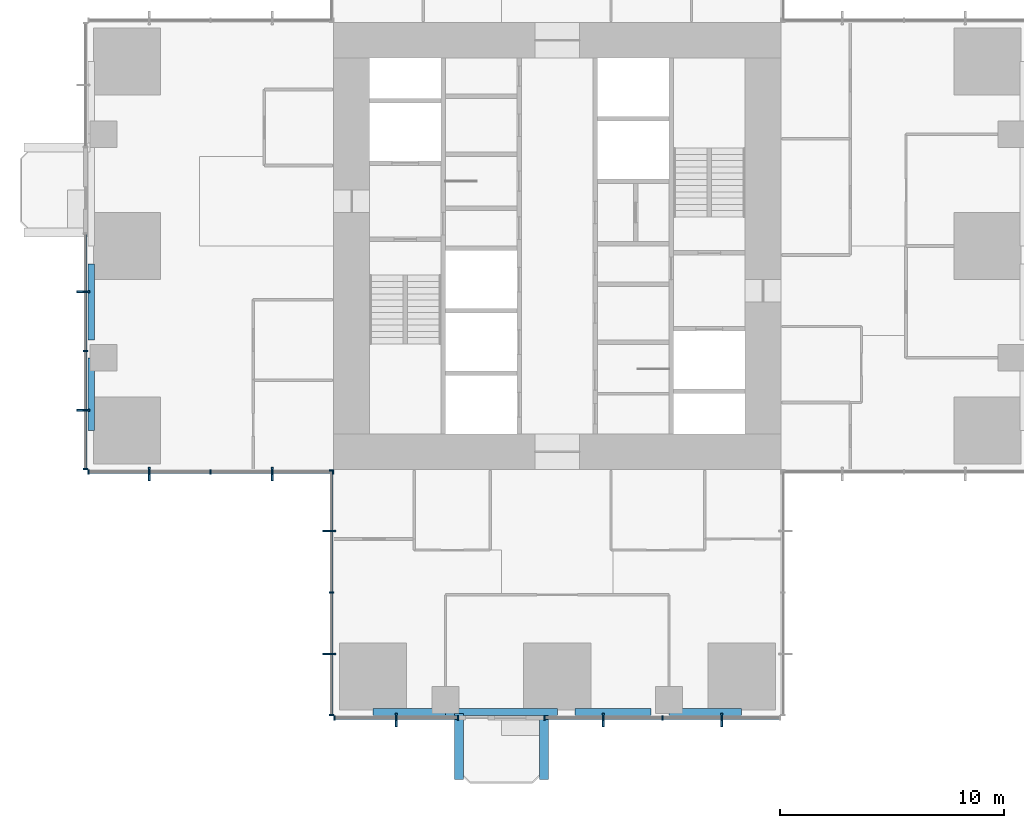
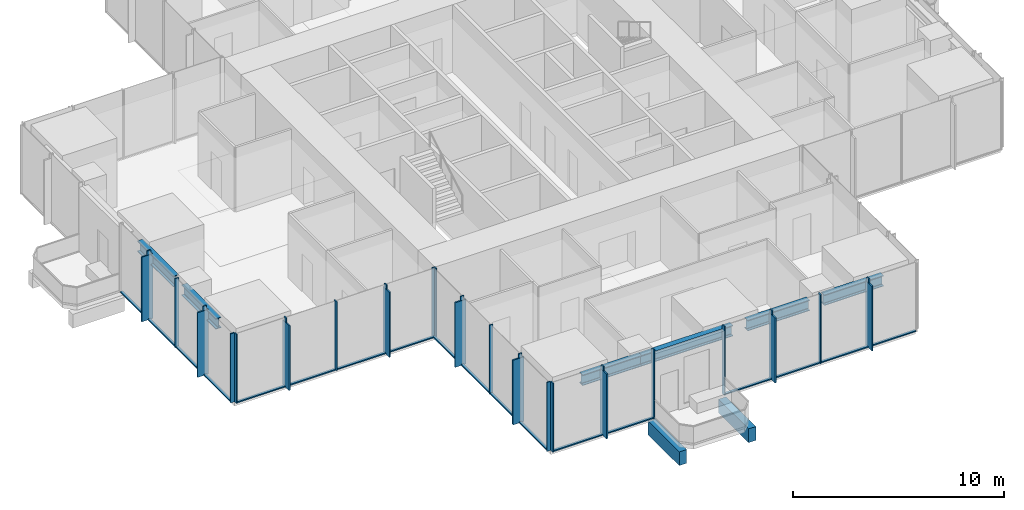
# One storey, part 2 of 13: 48 members, 8 beams, 5 elements without a shape of their own.
"""IFC4 building model written with IfcOpenShell, lengths in metres."""

import ifcopenshell
import ifcopenshell.guid

model = None  # the IFC model being written
_history = None  # IfcOwnerHistory: only IFC2X3 demands one
_inside = {}  # id of a spatial element -> (the spatial element, [elements in it])
_under = {}  # id of a project, library or spatial element -> (it, [spatial elements below it])
_declared = {}  # id of a project -> (the project, [libraries it declares])
_typed = {}  # id of a type object -> (the type object, [elements of that type])
_made_of = {}  # id of a material, layer set ... -> (it, [elements and type objects made of it])


def new_model(schema):
    """Start an empty IFC model of exactly this schema.

    Asked for "IFC4X3", IfcOpenShell would pick the latest addendum, in which some entities
    have other attributes; the version numbers below select the first issue.
    IFC2X3 requires an IfcOwnerHistory on every rooted entity: one is made here for all.
    """
    global model, _history
    if schema == "IFC4X3":
        model = ifcopenshell.file(schema_version=(4, 3, 0, 0))
    else:
        model = ifcopenshell.file(schema=schema)
    _inside.clear()
    _under.clear()
    _declared.clear()
    _typed.clear()
    _made_of.clear()
    _history = None
    if model.schema == "IFC2X3":
        org = make("IfcOrganization", Name="unknown")
        user = make(
            "IfcPersonAndOrganization",
            ThePerson=make("IfcPerson", FamilyName="unknown"),
            TheOrganization=org,
        )
        app = make(
            "IfcApplication",
            ApplicationDeveloper=org,
            Version="unknown",
            ApplicationFullName="unknown",
            ApplicationIdentifier="unknown",
        )
        _history = make(
            "IfcOwnerHistory",
            OwningUser=user,
            OwningApplication=app,
            ChangeAction="ADDED",
            CreationDate=0,
        )
    return model


def make(cls, **values):
    """One entity of the class cls with the attributes given. An attribute that is None is left unset."""
    return model.create_entity(
        cls, **{name: value for name, value in values.items() if value is not None}
    )


def rooted(cls, **values):
    """An entity with a GlobalId (a new one), such as an element, a storey or a relation."""
    return make(cls, GlobalId=ifcopenshell.guid.new(), OwnerHistory=_history, **values)


def si_unit(unit_type, name, prefix=None):
    """IfcSIUnit, for example si_unit("LENGTHUNIT", "METRE", prefix="MILLI")."""
    return make("IfcSIUnit", UnitType=unit_type, Prefix=prefix, Name=name)


def assignment(units):
    """IfcUnitAssignment: the units of a project."""
    return None if units is None else make("IfcUnitAssignment", Units=units)


def point(xyz):
    """IfcCartesianPoint."""
    return None if xyz is None else make("IfcCartesianPoint", Coordinates=xyz)


def direction(xyz):
    """IfcDirection."""
    return None if xyz is None else make("IfcDirection", DirectionRatios=xyz)


def frame(location, z_axis=None, x_axis=None):
    """IfcAxis2Placement3D, a coordinate frame: its origin and axes. An axis left out is left unset."""
    return make(
        "IfcAxis2Placement3D",
        Location=point(location),
        Axis=direction(z_axis),
        RefDirection=direction(x_axis),
    )


def frame_2d(location, x_axis=None):
    """IfcAxis2Placement2D, a coordinate frame in the plane: its origin and x axis."""
    return make(
        "IfcAxis2Placement2D", Location=point(location), RefDirection=direction(x_axis)
    )


def origin():
    """The frame at (0, 0, 0) with its axes left unset."""
    return frame((0.0, 0.0, 0.0))


def origin_2d():
    """The frame at (0, 0) in the plane with its x axis left unset."""
    return frame_2d((0.0, 0.0))


def place(relative_to, where):
    """IfcLocalPlacement: puts the frame where relative to a parent placement (None: the world)."""
    return make(
        "IfcLocalPlacement", PlacementRelTo=relative_to, RelativePlacement=where
    )


def context(
    kind, dimensions, precision=None, world=None, true_north=None, identifier=None
):
    """IfcGeometricRepresentationContext, for example the 3D "Model" context."""
    return make(
        "IfcGeometricRepresentationContext",
        ContextIdentifier=identifier,
        ContextType=kind,
        CoordinateSpaceDimension=dimensions,
        Precision=precision,
        WorldCoordinateSystem=world,
        TrueNorth=true_north,
    )


def subcontext(parent, identifier, kind, view, scale=None):
    """IfcGeometricRepresentationSubContext, for example "Body" below "Model"."""
    return make(
        "IfcGeometricRepresentationSubContext",
        ContextIdentifier=identifier,
        ContextType=kind,
        ParentContext=parent,
        TargetScale=scale,
        TargetView=view,
    )


def project(units=None, contexts=None):
    """IfcProject with its units and contexts."""
    return rooted(
        "IfcProject",
        Name="project",
        RepresentationContexts=contexts,
        UnitsInContext=assignment(units),
    )


def spatial(cls, under=None, at=None, **own):
    """A site, building, storey or space (cls), placed at a placement, below another one or the project."""
    s = rooted(cls, ObjectPlacement=at, **own)
    if under is not None:
        _under.setdefault(under.id(), (under, []))[1].append(s)
    return s


def profile(cls, at=None, kind="AREA", **sizes):
    """A parametric profile (cls). Its sizes go by their IFC names, for example OverallWidth=200.0."""
    return make(cls, ProfileType=kind, Position=at, **sizes)


def rectangle(**sizes):
    """IfcRectangleProfileDef."""
    return profile("IfcRectangleProfileDef", **sizes)


def i_section(**sizes):
    """IfcIShapeProfileDef."""
    return profile("IfcIShapeProfileDef", **sizes)


def extrude(swept, where, along, depth):
    """IfcExtrudedAreaSolid: the profile swept, set in the frame where, extruded along a direction by depth."""
    return make(
        "IfcExtrudedAreaSolid",
        SweptArea=swept,
        Position=where,
        ExtrudedDirection=direction(along),
        Depth=depth,
    )


def shape(context_of_items, identifier, shape_type, items):
    """IfcShapeRepresentation: the items that make up one representation, for example the "Body"."""
    return make(
        "IfcShapeRepresentation",
        ContextOfItems=context_of_items,
        RepresentationIdentifier=identifier,
        RepresentationType=shape_type,
        Items=items,
    )


def material(Name=None, Category=None):
    """IfcMaterial."""
    return make("IfcMaterial", Name=Name, Category=Category)


def material_profile(
    of_material, cross_section, Name=None, Category=None, Priority=None
):
    """IfcMaterialProfile: a cross section and its material."""
    return make(
        "IfcMaterialProfile",
        Name=Name,
        Material=of_material,
        Profile=cross_section,
        Priority=Priority,
        Category=Category,
    )


def profile_set(profiles, Name=None, composite=None):
    """IfcMaterialProfileSet."""
    return make(
        "IfcMaterialProfileSet",
        Name=Name,
        MaterialProfiles=profiles,
        CompositeProfile=composite,
    )


def made_of(thing, what):
    """Note that an element or type object is made of a material, layer set ...; save() writes the relation."""
    if what is not None:
        _made_of.setdefault(what.id(), (what, []))[1].append(thing)
    return thing


def type_object(cls, material=None, **own):
    """A type object (cls), such as IfcWallType, which elements share."""
    return made_of(rooted(cls, **own), material)


def element(
    cls,
    number,
    at=None,
    inside=None,
    cuts=None,
    type_object=None,
    material=None,
    context=None,
    identifier="Body",
    shape_type=None,
    held_by="IfcProductDefinitionShape",
    body=None,
    shapes=None,
    **own,
):
    """One element of the class cls, such as IfcWall. Its Tag is "e" and its number.

    at: its placement. inside: the storey or other place that contains it. cuts: it is an
    opening in that element (IfcRelVoidsElement). A single representation is given by context,
    identifier, shape_type and body (its items); several are given by shapes. held_by: the class
    of the entity that holds the representations. save() writes the other relations.
    """
    e = rooted(cls, Tag="e%d" % number, ObjectPlacement=at, **own)
    if body is not None:
        shapes = [shape(context, identifier, shape_type, body)]
    if shapes is not None:
        e.Representation = make(held_by, Representations=shapes)
    if inside is not None:
        _inside.setdefault(inside.id(), (inside, []))[1].append(e)
    if cuts is not None:
        rooted(
            "IfcRelVoidsElement", RelatingBuildingElement=cuts, RelatedOpeningElement=e
        )
    if type_object is not None:
        _typed.setdefault(type_object.id(), (type_object, []))[1].append(e)
    return made_of(e, material)


def aggregate(whole, parts):
    """IfcRelAggregates: a whole, such as a stair, and the parts it consists of."""
    return rooted("IfcRelAggregates", RelatingObject=whole, RelatedObjects=parts)


def save(model, path):
    """Write the relations noted so far, then the file.

    IfcRelAggregates (storeys below a building ...), IfcRelContainedInSpatialStructure (elements
    in a storey), IfcRelDefinesByType, IfcRelAssociatesMaterial and IfcRelDeclares: one each for
    every whole, place, type object, material and project.
    """
    for whole, parts in _under.values():
        aggregate(whole, parts)
    for where, things in _inside.values():
        rooted(
            "IfcRelContainedInSpatialStructure",
            RelatedElements=things,
            RelatingStructure=where,
        )
    for kind, things in _typed.values():
        rooted("IfcRelDefinesByType", RelatedObjects=things, RelatingType=kind)
    for what, things in _made_of.values():
        rooted("IfcRelAssociatesMaterial", RelatedObjects=things, RelatingMaterial=what)
    for by, libraries in _declared.values():
        rooted("IfcRelDeclares", RelatingContext=by, RelatedDefinitions=libraries)
    model.write(path)


model = new_model("IFC4")

# Units and contexts
model_context = context("Model", 3, precision=1e-05, world=origin(), true_north=direction((0.0, 1.0)))
body_context = subcontext(model_context, "Body", "Model", "MODEL_VIEW")
ifc_project = project(units=[si_unit("LENGTHUNIT", "METRE"), si_unit("AREAUNIT", "SQUARE_METRE"), si_unit("VOLUMEUNIT", "CUBIC_METRE"), si_unit("PLANEANGLEUNIT", "RADIAN"), si_unit("MASSUNIT", "GRAM", prefix="KILO")], contexts=[model_context])

# Site, building, storey
site_placement = place(None, origin())
site = spatial("IfcSite", under=ifc_project, at=site_placement, CompositionType="ELEMENT")
building_placement = place(site_placement, origin())
building = spatial("IfcBuilding", under=site, at=building_placement, Name="Svetlomir Tower", CompositionType="ELEMENT")
storey_placement = place(building_placement, frame((0.0, 0.0, 100.5)))
storey = spatial("IfcBuildingStorey", under=building, at=storey_placement, Name="L23", CompositionType="ELEMENT", Elevation=100.5)

# Beams
ifc_material_1 = material(Name="Concrete C60/75", Category="concrete")
ifc_material_profile_1 = material_profile(ifc_material_1, rectangle(XDim=0.39990234375, YDim=0.800048828125, at=origin_2d()), Name="RC 400x800")
ifc_profile_set_1 = profile_set([ifc_material_profile_1], Name="Concrete C60/75")
beam_type_1 = type_object("IfcBeamType", Name="BALCONY RIB RC 400x800", PredefinedType="BEAM", material=ifc_profile_set_1)
beam_1_placement = place(storey_placement, frame((16.60009765625, 0.10009765625, -0.64990234375), z_axis=(0.0, -1.0, 0.0), x_axis=(1.0, 0.0, 0.0)))
element("IfcBeam", 1, at=beam_1_placement, inside=storey, type_object=beam_type_1, Name="Balcony rib S 1 L23", PredefinedType="BEAM", context=body_context, shape_type="SweptSolid", body=[
    extrude(rectangle(XDim=0.39990234375, YDim=0.800048828125, at=origin_2d()), origin(), (0.0, 0.0, 1.0), 2.9501953125),
])
beam_2_placement = place(storey_placement, frame((20.39990234375, 0.0, -0.64990234375), z_axis=(0.0, -1.0, 0.0), x_axis=(1.0, 0.0, 0.0)))
element("IfcBeam", 2, at=beam_2_placement, inside=storey, type_object=beam_type_1, Name="Balcony rib S 2 L23", PredefinedType="BEAM", context=body_context, shape_type="SweptSolid", body=[
    extrude(rectangle(XDim=0.39990234375, YDim=0.800048828125, at=origin_2d()), origin(), (0.0, 0.0, 1.0), 2.85009765625),
])

# Curtain wall, member
ifc_material_2 = material(Name="Bronze anodised aluminium curtain wall", Category="aluminium")
curtain_wall_type = type_object("IfcCurtainWallType", Name="CURTAIN WALL CW1 TOWER OFFICE", PredefinedType="NOTDEFINED", material=ifc_material_2)
curtain_wall_1_placement = place(storey_placement, origin())
curtain_wall_1 = element("IfcCurtainWall", 3, at=curtain_wall_1_placement, inside=storey, type_object=curtain_wall_type, Name="Curtain wall CW1 L23", PredefinedType="NOTDEFINED")
ifc_material_3 = material(Name="Bronze anodised aluminium", Category="aluminium")
ifc_material_profile_2 = material_profile(ifc_material_3, rectangle(XDim=0.080078125, YDim=0.60009765625, at=origin_2d()), Name="FIN 80x600")
ifc_profile_set_2 = profile_set([ifc_material_profile_2], Name="Bronze anodised aluminium 6063-T6")
member_type_1 = type_object("IfcMemberType", Name="BRONZE FIN 80x600", PredefinedType="USERDEFINED", material=ifc_profile_set_2)
member_1_placement = place(storey_placement, frame((13.800048828125, -0.199951171875, 0.0), z_axis=(0.0, 0.0, 1.0), x_axis=(1.0, 0.0, 0.0)))
member_1 = element("IfcMember", 4, at=member_1_placement, type_object=member_type_1, Name="Bronze fin L23", ObjectType="FIN", PredefinedType="USERDEFINED", context=body_context, shape_type="SweptSolid", body=[
    extrude(rectangle(XDim=0.080078125, YDim=0.60009765625, at=origin_2d()), origin(), (0.0, 0.0, 1.0), 3.75),
])

# Curtain wall, members
curtain_wall_2_placement = place(storey_placement, origin())
curtain_wall_2 = element("IfcCurtainWall", 5, at=curtain_wall_2_placement, inside=storey, type_object=curtain_wall_type, Name="Curtain wall CW1 L23", PredefinedType="NOTDEFINED")
member_2_placement = place(storey_placement, frame((23.050048828125, -0.199951171875, 0.0), z_axis=(0.0, 0.0, 1.0), x_axis=(1.0, 0.0, 0.0)))
member_2 = element("IfcMember", 6, at=member_2_placement, type_object=member_type_1, Name="Bronze fin L23", ObjectType="FIN", PredefinedType="USERDEFINED", context=body_context, shape_type="SweptSolid", body=[
    extrude(rectangle(XDim=0.080078125, YDim=0.60009765625, at=origin_2d()), origin(), (0.0, 0.0, 1.0), 3.75),
])
member_3_placement = place(storey_placement, frame((28.35009765625, -0.199951171875, 0.0), z_axis=(0.0, 0.0, 1.0), x_axis=(1.0, 0.0, 0.0)))
member_3 = element("IfcMember", 7, at=member_3_placement, type_object=member_type_1, Name="Bronze fin L23", ObjectType="FIN", PredefinedType="USERDEFINED", context=body_context, shape_type="SweptSolid", body=[
    extrude(rectangle(XDim=0.080078125, YDim=0.60009765625, at=origin_2d()), origin(), (0.0, 0.0, 1.0), 3.75),
])

curtain_wall_3_placement = place(storey_placement, origin())
curtain_wall_3 = element("IfcCurtainWall", 8, at=curtain_wall_3_placement, inside=storey, type_object=curtain_wall_type, Name="Curtain wall CW1 L23", PredefinedType="NOTDEFINED")
member_4_placement = place(storey_placement, frame((-0.199951171875, 18.949951171875, 0.0), z_axis=(0.0, 0.0, 1.0), x_axis=(0.0, 1.0, 0.0)))
member_4 = element("IfcMember", 9, at=member_4_placement, type_object=member_type_1, Name="Bronze fin L23", ObjectType="FIN", PredefinedType="USERDEFINED", context=body_context, shape_type="SweptSolid", body=[
    extrude(rectangle(XDim=0.080078125, YDim=0.60009765625, at=origin_2d()), origin(), (0.0, 0.0, 1.0), 3.75),
])
member_5_placement = place(storey_placement, frame((-0.199951171875, 13.64990234375, 0.0), z_axis=(0.0, 0.0, 1.0), x_axis=(0.0, 1.0, 0.0)))
member_5 = element("IfcMember", 10, at=member_5_placement, type_object=member_type_1, Name="Bronze fin L23", ObjectType="FIN", PredefinedType="USERDEFINED", context=body_context, shape_type="SweptSolid", body=[
    extrude(rectangle(XDim=0.080078125, YDim=0.60009765625, at=origin_2d()), origin(), (0.0, 0.0, 1.0), 3.75),
])

curtain_wall_4_placement = place(storey_placement, origin())
curtain_wall_4 = element("IfcCurtainWall", 11, at=curtain_wall_4_placement, inside=storey, type_object=curtain_wall_type, Name="Curtain wall CW1 L23", PredefinedType="NOTDEFINED")
member_6_placement = place(storey_placement, frame((2.75, 10.800048828125, 0.0), z_axis=(0.0, 0.0, 1.0), x_axis=(1.0, 0.0, 0.0)))
member_6 = element("IfcMember", 12, at=member_6_placement, type_object=member_type_1, Name="Bronze fin L23", ObjectType="FIN", PredefinedType="USERDEFINED", context=body_context, shape_type="SweptSolid", body=[
    extrude(rectangle(XDim=0.080078125, YDim=0.60009765625, at=origin_2d()), origin(), (0.0, 0.0, 1.0), 3.75),
])
member_7_placement = place(storey_placement, frame((8.25, 10.800048828125, 0.0), z_axis=(0.0, 0.0, 1.0), x_axis=(1.0, 0.0, 0.0)))
member_7 = element("IfcMember", 13, at=member_7_placement, type_object=member_type_1, Name="Bronze fin L23", ObjectType="FIN", PredefinedType="USERDEFINED", context=body_context, shape_type="SweptSolid", body=[
    extrude(rectangle(XDim=0.080078125, YDim=0.60009765625, at=origin_2d()), origin(), (0.0, 0.0, 1.0), 3.75),
])

curtain_wall_5_placement = place(storey_placement, origin())
curtain_wall_5 = element("IfcCurtainWall", 14, at=curtain_wall_5_placement, inside=storey, type_object=curtain_wall_type, Name="Curtain wall CW1 L23", PredefinedType="NOTDEFINED")
member_8_placement = place(storey_placement, frame((10.800048828125, 8.25, 0.0), z_axis=(0.0, 0.0, 1.0), x_axis=(0.0, 1.0, 0.0)))
member_8 = element("IfcMember", 15, at=member_8_placement, type_object=member_type_1, Name="Bronze fin L23", ObjectType="FIN", PredefinedType="USERDEFINED", context=body_context, shape_type="SweptSolid", body=[
    extrude(rectangle(XDim=0.080078125, YDim=0.60009765625, at=origin_2d()), origin(), (0.0, 0.0, 1.0), 3.75),
])
member_9_placement = place(storey_placement, frame((10.800048828125, 2.75, 0.0), z_axis=(0.0, 0.0, 1.0), x_axis=(0.0, 1.0, 0.0)))
member_9 = element("IfcMember", 16, at=member_9_placement, type_object=member_type_1, Name="Bronze fin L23", ObjectType="FIN", PredefinedType="USERDEFINED", context=body_context, shape_type="SweptSolid", body=[
    extrude(rectangle(XDim=0.080078125, YDim=0.60009765625, at=origin_2d()), origin(), (0.0, 0.0, 1.0), 3.75),
])

# Member
ifc_material_4 = material(Name="Bronze anodised aluminium", Category="aluminium")
ifc_material_profile_3 = material_profile(ifc_material_4, rectangle(XDim=0.06494140625, YDim=0.199951171875, at=origin_2d()), Name="AL 65x200")
ifc_profile_set_3 = profile_set([ifc_material_profile_3], Name="Bronze anodised aluminium 6063-T6")
member_type_2 = type_object("IfcMemberType", Name="CW1 MULLION 65x200", PredefinedType="MULLION", material=ifc_profile_set_3)
member_10_placement = place(storey_placement, frame((11.032470703125, -0.10009765625, 0.0), z_axis=(0.0, 0.0, 1.0), x_axis=(1.0, 0.0, 0.0)))
member_10 = element("IfcMember", 17, at=member_10_placement, type_object=member_type_2, Name="CW1 mullion 1", PredefinedType="MULLION", context=body_context, shape_type="SweptSolid", body=[
    extrude(rectangle(XDim=0.06494140625, YDim=0.199951171875, at=origin_2d()), origin(), (0.0, 0.0, 1.0), 4.0),
])

member_11_placement = place(storey_placement, frame((13.800048828125, -0.10009765625, 0.0), z_axis=(0.0, 0.0, 1.0), x_axis=(1.0, 0.0, 0.0)))
member_11 = element("IfcMember", 18, at=member_11_placement, type_object=member_type_2, Name="CW1 mullion 2", PredefinedType="MULLION", context=body_context, shape_type="SweptSolid", body=[
    extrude(rectangle(XDim=0.06494140625, YDim=0.199951171875, at=origin_2d()), origin(), (0.0, 0.0, 1.0), 4.0),
])

member_12_placement = place(storey_placement, frame((16.5673828125, -0.10009765625, 0.0), z_axis=(0.0, 0.0, 1.0), x_axis=(1.0, 0.0, 0.0)))
member_12 = element("IfcMember", 19, at=member_12_placement, type_object=member_type_2, Name="CW1 mullion 3", PredefinedType="MULLION", context=body_context, shape_type="SweptSolid", body=[
    extrude(rectangle(XDim=0.06494140625, YDim=0.199951171875, at=origin_2d()), origin(), (0.0, 0.0, 1.0), 4.0),
])

member_13_placement = place(storey_placement, frame((20.4326171875, -0.10009765625, 0.0), z_axis=(0.0, 0.0, 1.0), x_axis=(1.0, 0.0, 0.0)))
member_13 = element("IfcMember", 20, at=member_13_placement, type_object=member_type_2, Name="CW1 mullion 1", PredefinedType="MULLION", context=body_context, shape_type="SweptSolid", body=[
    extrude(rectangle(XDim=0.06494140625, YDim=0.199951171875, at=origin_2d()), origin(), (0.0, 0.0, 1.0), 4.0),
])

member_14_placement = place(storey_placement, frame((23.050048828125, -0.10009765625, 0.0), z_axis=(0.0, 0.0, 1.0), x_axis=(1.0, 0.0, 0.0)))
member_14 = element("IfcMember", 21, at=member_14_placement, type_object=member_type_2, Name="CW1 mullion 2", PredefinedType="MULLION", context=body_context, shape_type="SweptSolid", body=[
    extrude(rectangle(XDim=0.06494140625, YDim=0.199951171875, at=origin_2d()), origin(), (0.0, 0.0, 1.0), 4.0),
])

member_15_placement = place(storey_placement, frame((25.699951171875, -0.10009765625, 0.0), z_axis=(0.0, 0.0, 1.0), x_axis=(1.0, 0.0, 0.0)))
member_15 = element("IfcMember", 22, at=member_15_placement, type_object=member_type_2, Name="CW1 mullion 3", PredefinedType="MULLION", context=body_context, shape_type="SweptSolid", body=[
    extrude(rectangle(XDim=0.06494140625, YDim=0.199951171875, at=origin_2d()), origin(), (0.0, 0.0, 1.0), 4.0),
])

member_16_placement = place(storey_placement, frame((28.35009765625, -0.10009765625, 0.0), z_axis=(0.0, 0.0, 1.0), x_axis=(1.0, 0.0, 0.0)))
member_16 = element("IfcMember", 23, at=member_16_placement, type_object=member_type_2, Name="CW1 mullion 4", PredefinedType="MULLION", context=body_context, shape_type="SweptSolid", body=[
    extrude(rectangle(XDim=0.06494140625, YDim=0.199951171875, at=origin_2d()), origin(), (0.0, 0.0, 1.0), 4.0),
])

member_17_placement = place(storey_placement, frame((-0.10009765625, 18.949951171875, 0.0), z_axis=(0.0, 0.0, 1.0), x_axis=(0.0, -1.0, 0.0)))
member_17 = element("IfcMember", 24, at=member_17_placement, type_object=member_type_2, Name="CW1 mullion 2", PredefinedType="MULLION", context=body_context, shape_type="SweptSolid", body=[
    extrude(rectangle(XDim=0.06494140625, YDim=0.199951171875, at=origin_2d()), origin(), (0.0, 0.0, 1.0), 4.0),
])

member_18_placement = place(storey_placement, frame((-0.10009765625, 16.300048828125, 0.0), z_axis=(0.0, 0.0, 1.0), x_axis=(0.0, -1.0, 0.0)))
member_18 = element("IfcMember", 25, at=member_18_placement, type_object=member_type_2, Name="CW1 mullion 3", PredefinedType="MULLION", context=body_context, shape_type="SweptSolid", body=[
    extrude(rectangle(XDim=0.06494140625, YDim=0.199951171875, at=origin_2d()), origin(), (0.0, 0.0, 1.0), 4.0),
])

member_19_placement = place(storey_placement, frame((-0.10009765625, 13.64990234375, 0.0), z_axis=(0.0, 0.0, 1.0), x_axis=(0.0, -1.0, 0.0)))
member_19 = element("IfcMember", 26, at=member_19_placement, type_object=member_type_2, Name="CW1 mullion 4", PredefinedType="MULLION", context=body_context, shape_type="SweptSolid", body=[
    extrude(rectangle(XDim=0.06494140625, YDim=0.199951171875, at=origin_2d()), origin(), (0.0, 0.0, 1.0), 4.0),
])

member_20_placement = place(storey_placement, frame((-0.10009765625, 11.032470703125, 0.0), z_axis=(0.0, 0.0, 1.0), x_axis=(0.0, -1.0, 0.0)))
member_20 = element("IfcMember", 27, at=member_20_placement, type_object=member_type_2, Name="CW1 mullion 5", PredefinedType="MULLION", context=body_context, shape_type="SweptSolid", body=[
    extrude(rectangle(XDim=0.06494140625, YDim=0.199951171875, at=origin_2d()), origin(), (0.0, 0.0, 1.0), 4.0),
])

member_21_placement = place(storey_placement, frame((0.032470703125, 10.89990234375, 0.0), z_axis=(0.0, 0.0, 1.0), x_axis=(1.0, 0.0, 0.0)))
member_21 = element("IfcMember", 28, at=member_21_placement, type_object=member_type_2, Name="CW1 mullion 1", PredefinedType="MULLION", context=body_context, shape_type="SweptSolid", body=[
    extrude(rectangle(XDim=0.06494140625, YDim=0.199951171875, at=origin_2d()), origin(), (0.0, 0.0, 1.0), 4.0),
])

member_22_placement = place(storey_placement, frame((2.75, 10.89990234375, 0.0), z_axis=(0.0, 0.0, 1.0), x_axis=(1.0, 0.0, 0.0)))
member_22 = element("IfcMember", 29, at=member_22_placement, type_object=member_type_2, Name="CW1 mullion 2", PredefinedType="MULLION", context=body_context, shape_type="SweptSolid", body=[
    extrude(rectangle(XDim=0.06494140625, YDim=0.199951171875, at=origin_2d()), origin(), (0.0, 0.0, 1.0), 4.0),
])

member_23_placement = place(storey_placement, frame((5.5, 10.89990234375, 0.0), z_axis=(0.0, 0.0, 1.0), x_axis=(1.0, 0.0, 0.0)))
member_23 = element("IfcMember", 30, at=member_23_placement, type_object=member_type_2, Name="CW1 mullion 3", PredefinedType="MULLION", context=body_context, shape_type="SweptSolid", body=[
    extrude(rectangle(XDim=0.06494140625, YDim=0.199951171875, at=origin_2d()), origin(), (0.0, 0.0, 1.0), 4.0),
])

member_24_placement = place(storey_placement, frame((8.25, 10.89990234375, 0.0), z_axis=(0.0, 0.0, 1.0), x_axis=(1.0, 0.0, 0.0)))
member_24 = element("IfcMember", 31, at=member_24_placement, type_object=member_type_2, Name="CW1 mullion 4", PredefinedType="MULLION", context=body_context, shape_type="SweptSolid", body=[
    extrude(rectangle(XDim=0.06494140625, YDim=0.199951171875, at=origin_2d()), origin(), (0.0, 0.0, 1.0), 4.0),
])

member_25_placement = place(storey_placement, frame((10.967529296875, 10.89990234375, 0.0), z_axis=(0.0, 0.0, 1.0), x_axis=(1.0, 0.0, 0.0)))
member_25 = element("IfcMember", 32, at=member_25_placement, type_object=member_type_2, Name="CW1 mullion 5", PredefinedType="MULLION", context=body_context, shape_type="SweptSolid", body=[
    extrude(rectangle(XDim=0.06494140625, YDim=0.199951171875, at=origin_2d()), origin(), (0.0, 0.0, 1.0), 4.0),
])

member_26_placement = place(storey_placement, frame((10.89990234375, 10.967529296875, 0.0), z_axis=(0.0, 0.0, 1.0), x_axis=(0.0, -1.0, 0.0)))
member_26 = element("IfcMember", 33, at=member_26_placement, type_object=member_type_2, Name="CW1 mullion 1", PredefinedType="MULLION", context=body_context, shape_type="SweptSolid", body=[
    extrude(rectangle(XDim=0.06494140625, YDim=0.199951171875, at=origin_2d()), origin(), (0.0, 0.0, 1.0), 4.0),
])

member_27_placement = place(storey_placement, frame((10.89990234375, 8.25, 0.0), z_axis=(0.0, 0.0, 1.0), x_axis=(0.0, -1.0, 0.0)))
member_27 = element("IfcMember", 34, at=member_27_placement, type_object=member_type_2, Name="CW1 mullion 2", PredefinedType="MULLION", context=body_context, shape_type="SweptSolid", body=[
    extrude(rectangle(XDim=0.06494140625, YDim=0.199951171875, at=origin_2d()), origin(), (0.0, 0.0, 1.0), 4.0),
])

member_28_placement = place(storey_placement, frame((10.89990234375, 5.5, 0.0), z_axis=(0.0, 0.0, 1.0), x_axis=(0.0, -1.0, 0.0)))
member_28 = element("IfcMember", 35, at=member_28_placement, type_object=member_type_2, Name="CW1 mullion 3", PredefinedType="MULLION", context=body_context, shape_type="SweptSolid", body=[
    extrude(rectangle(XDim=0.06494140625, YDim=0.199951171875, at=origin_2d()), origin(), (0.0, 0.0, 1.0), 4.0),
])

member_29_placement = place(storey_placement, frame((10.89990234375, 2.75, 0.0), z_axis=(0.0, 0.0, 1.0), x_axis=(0.0, -1.0, 0.0)))
member_29 = element("IfcMember", 36, at=member_29_placement, type_object=member_type_2, Name="CW1 mullion 4", PredefinedType="MULLION", context=body_context, shape_type="SweptSolid", body=[
    extrude(rectangle(XDim=0.06494140625, YDim=0.199951171875, at=origin_2d()), origin(), (0.0, 0.0, 1.0), 4.0),
])

member_30_placement = place(storey_placement, frame((10.89990234375, 0.032470703125, 0.0), z_axis=(0.0, 0.0, 1.0), x_axis=(0.0, -1.0, 0.0)))
member_30 = element("IfcMember", 37, at=member_30_placement, type_object=member_type_2, Name="CW1 mullion 5", PredefinedType="MULLION", context=body_context, shape_type="SweptSolid", body=[
    extrude(rectangle(XDim=0.06494140625, YDim=0.199951171875, at=origin_2d()), origin(), (0.0, 0.0, 1.0), 4.0),
])

ifc_material_5 = material(Name="Bronze anodised aluminium", Category="aluminium")
ifc_material_profile_4 = material_profile(ifc_material_5, rectangle(XDim=0.139892578125, YDim=0.06494140625, at=origin_2d()), Name="AL 140x65")
ifc_profile_set_4 = profile_set([ifc_material_profile_4], Name="Bronze anodised aluminium 6063-T6")
member_type_3 = type_object("IfcMemberType", Name="CW1 TRANSOM 65x140", PredefinedType="USERDEFINED", material=ifc_profile_set_4)
member_31_placement = place(storey_placement, frame((11.06494140625, -0.10009765625, 0.032470703125), z_axis=(1.0, 0.0, 0.0), x_axis=(0.0, 1.0, 0.0)))
member_31 = element("IfcMember", 38, at=member_31_placement, type_object=member_type_3, Name="CW1 transom 1.1", ObjectType="TRANSOM", PredefinedType="USERDEFINED", context=body_context, shape_type="SweptSolid", body=[
    extrude(rectangle(XDim=0.139892578125, YDim=0.06494140625, at=origin_2d()), origin(), (0.0, 0.0, 1.0), 2.70263671875),
])

member_32_placement = place(storey_placement, frame((13.83251953125, -0.10009765625, 0.032470703125), z_axis=(1.0, 0.0, 0.0), x_axis=(0.0, 1.0, 0.0)))
member_32 = element("IfcMember", 39, at=member_32_placement, type_object=member_type_3, Name="CW1 transom 2.1", ObjectType="TRANSOM", PredefinedType="USERDEFINED", context=body_context, shape_type="SweptSolid", body=[
    extrude(rectangle(XDim=0.139892578125, YDim=0.06494140625, at=origin_2d()), origin(), (0.0, 0.0, 1.0), 2.702392578125),
])

aggregate(curtain_wall_1, [member_10, member_11, member_12, member_31, member_32, member_1])

member_33_placement = place(storey_placement, frame((20.465087890625, -0.10009765625, 0.032470703125), z_axis=(1.0, 0.0, 0.0), x_axis=(0.0, 1.0, 0.0)))
member_33 = element("IfcMember", 40, at=member_33_placement, type_object=member_type_3, Name="CW1 transom 1.1", ObjectType="TRANSOM", PredefinedType="USERDEFINED", context=body_context, shape_type="SweptSolid", body=[
    extrude(rectangle(XDim=0.139892578125, YDim=0.06494140625, at=origin_2d()), origin(), (0.0, 0.0, 1.0), 2.552490234375),
])

member_34_placement = place(storey_placement, frame((23.08251953125, -0.10009765625, 0.032470703125), z_axis=(1.0, 0.0, 0.0), x_axis=(0.0, 1.0, 0.0)))
member_34 = element("IfcMember", 41, at=member_34_placement, type_object=member_type_3, Name="CW1 transom 2.1", ObjectType="TRANSOM", PredefinedType="USERDEFINED", context=body_context, shape_type="SweptSolid", body=[
    extrude(rectangle(XDim=0.139892578125, YDim=0.06494140625, at=origin_2d()), origin(), (0.0, 0.0, 1.0), 2.5849609375),
])

member_35_placement = place(storey_placement, frame((25.732421875, -0.10009765625, 0.032470703125), z_axis=(1.0, 0.0, 0.0), x_axis=(0.0, 1.0, 0.0)))
member_35 = element("IfcMember", 42, at=member_35_placement, type_object=member_type_3, Name="CW1 transom 3.1", ObjectType="TRANSOM", PredefinedType="USERDEFINED", context=body_context, shape_type="SweptSolid", body=[
    extrude(rectangle(XDim=0.139892578125, YDim=0.06494140625, at=origin_2d()), origin(), (0.0, 0.0, 1.0), 2.5849609375),
])

member_36_placement = place(storey_placement, frame((28.382568359375, -0.10009765625, 0.032470703125), z_axis=(1.0, 0.0, 0.0), x_axis=(0.0, 1.0, 0.0)))
member_36 = element("IfcMember", 43, at=member_36_placement, type_object=member_type_3, Name="CW1 transom 4.1", ObjectType="TRANSOM", PredefinedType="USERDEFINED", context=body_context, shape_type="SweptSolid", body=[
    extrude(rectangle(XDim=0.139892578125, YDim=0.06494140625, at=origin_2d()), origin(), (0.0, 0.0, 1.0), 2.552490234375),
])

aggregate(curtain_wall_2, [member_13, member_14, member_15, member_16, member_33, member_34, member_35, member_36, member_2, member_3])

member_37_placement = place(storey_placement, frame((-0.10009765625, 21.534912109375, 0.032470703125), z_axis=(0.0, -1.0, 0.0), x_axis=(1.0, 0.0, 0.0)))
member_37 = element("IfcMember", 44, at=member_37_placement, type_object=member_type_3, Name="CW1 transom 1.1", ObjectType="TRANSOM", PredefinedType="USERDEFINED", context=body_context, shape_type="SweptSolid", body=[
    extrude(rectangle(XDim=0.139892578125, YDim=0.06494140625, at=origin_2d()), origin(), (0.0, 0.0, 1.0), 2.552490234375),
])

member_38_placement = place(storey_placement, frame((-0.10009765625, 18.91748046875, 0.032470703125), z_axis=(0.0, -1.0, 0.0), x_axis=(1.0, 0.0, 0.0)))
member_38 = element("IfcMember", 45, at=member_38_placement, type_object=member_type_3, Name="CW1 transom 2.1", ObjectType="TRANSOM", PredefinedType="USERDEFINED", context=body_context, shape_type="SweptSolid", body=[
    extrude(rectangle(XDim=0.139892578125, YDim=0.06494140625, at=origin_2d()), origin(), (0.0, 0.0, 1.0), 2.5849609375),
])

member_39_placement = place(storey_placement, frame((-0.10009765625, 16.267578125, 0.032470703125), z_axis=(0.0, -1.0, 0.0), x_axis=(1.0, 0.0, 0.0)))
member_39 = element("IfcMember", 46, at=member_39_placement, type_object=member_type_3, Name="CW1 transom 3.1", ObjectType="TRANSOM", PredefinedType="USERDEFINED", context=body_context, shape_type="SweptSolid", body=[
    extrude(rectangle(XDim=0.139892578125, YDim=0.06494140625, at=origin_2d()), origin(), (0.0, 0.0, 1.0), 2.5849609375),
])

member_40_placement = place(storey_placement, frame((-0.10009765625, 13.617431640625, 0.032470703125), z_axis=(0.0, -1.0, 0.0), x_axis=(1.0, 0.0, 0.0)))
member_40 = element("IfcMember", 47, at=member_40_placement, type_object=member_type_3, Name="CW1 transom 4.1", ObjectType="TRANSOM", PredefinedType="USERDEFINED", context=body_context, shape_type="SweptSolid", body=[
    extrude(rectangle(XDim=0.139892578125, YDim=0.06494140625, at=origin_2d()), origin(), (0.0, 0.0, 1.0), 2.552490234375),
])

aggregate(curtain_wall_3, [member_17, member_18, member_19, member_20, member_37, member_38, member_39, member_40, member_4, member_5])

member_41_placement = place(storey_placement, frame((0.06494140625, 10.89990234375, 0.032470703125), z_axis=(1.0, 0.0, 0.0), x_axis=(0.0, 1.0, 0.0)))
member_41 = element("IfcMember", 48, at=member_41_placement, type_object=member_type_3, Name="CW1 transom 1.1", ObjectType="TRANSOM", PredefinedType="USERDEFINED", context=body_context, shape_type="SweptSolid", body=[
    extrude(rectangle(XDim=0.139892578125, YDim=0.06494140625, at=origin_2d()), origin(), (0.0, 0.0, 1.0), 2.652587890625),
])

member_42_placement = place(storey_placement, frame((2.782470703125, 10.89990234375, 0.032470703125), z_axis=(1.0, 0.0, 0.0), x_axis=(0.0, 1.0, 0.0)))
member_42 = element("IfcMember", 49, at=member_42_placement, type_object=member_type_3, Name="CW1 transom 2.1", ObjectType="TRANSOM", PredefinedType="USERDEFINED", context=body_context, shape_type="SweptSolid", body=[
    extrude(rectangle(XDim=0.139892578125, YDim=0.06494140625, at=origin_2d()), origin(), (0.0, 0.0, 1.0), 2.68505859375),
])

member_43_placement = place(storey_placement, frame((5.532470703125, 10.89990234375, 0.032470703125), z_axis=(1.0, 0.0, 0.0), x_axis=(0.0, 1.0, 0.0)))
member_43 = element("IfcMember", 50, at=member_43_placement, type_object=member_type_3, Name="CW1 transom 3.1", ObjectType="TRANSOM", PredefinedType="USERDEFINED", context=body_context, shape_type="SweptSolid", body=[
    extrude(rectangle(XDim=0.139892578125, YDim=0.06494140625, at=origin_2d()), origin(), (0.0, 0.0, 1.0), 2.68505859375),
])

member_44_placement = place(storey_placement, frame((8.282470703125, 10.89990234375, 0.032470703125), z_axis=(1.0, 0.0, 0.0), x_axis=(0.0, 1.0, 0.0)))
member_44 = element("IfcMember", 51, at=member_44_placement, type_object=member_type_3, Name="CW1 transom 4.1", ObjectType="TRANSOM", PredefinedType="USERDEFINED", context=body_context, shape_type="SweptSolid", body=[
    extrude(rectangle(XDim=0.139892578125, YDim=0.06494140625, at=origin_2d()), origin(), (0.0, 0.0, 1.0), 2.652587890625),
])

aggregate(curtain_wall_4, [member_21, member_22, member_23, member_24, member_25, member_41, member_42, member_43, member_44, member_6, member_7])

member_45_placement = place(storey_placement, frame((10.89990234375, 10.93505859375, 0.032470703125), z_axis=(0.0, -1.0, 0.0), x_axis=(1.0, 0.0, 0.0)))
member_45 = element("IfcMember", 52, at=member_45_placement, type_object=member_type_3, Name="CW1 transom 1.1", ObjectType="TRANSOM", PredefinedType="USERDEFINED", context=body_context, shape_type="SweptSolid", body=[
    extrude(rectangle(XDim=0.139892578125, YDim=0.06494140625, at=origin_2d()), origin(), (0.0, 0.0, 1.0), 2.652587890625),
])

member_46_placement = place(storey_placement, frame((10.89990234375, 8.217529296875, 0.032470703125), z_axis=(0.0, -1.0, 0.0), x_axis=(1.0, 0.0, 0.0)))
member_46 = element("IfcMember", 53, at=member_46_placement, type_object=member_type_3, Name="CW1 transom 2.1", ObjectType="TRANSOM", PredefinedType="USERDEFINED", context=body_context, shape_type="SweptSolid", body=[
    extrude(rectangle(XDim=0.139892578125, YDim=0.06494140625, at=origin_2d()), origin(), (0.0, 0.0, 1.0), 2.68505859375),
])

member_47_placement = place(storey_placement, frame((10.89990234375, 5.467529296875, 0.032470703125), z_axis=(0.0, -1.0, 0.0), x_axis=(1.0, 0.0, 0.0)))
member_47 = element("IfcMember", 54, at=member_47_placement, type_object=member_type_3, Name="CW1 transom 3.1", ObjectType="TRANSOM", PredefinedType="USERDEFINED", context=body_context, shape_type="SweptSolid", body=[
    extrude(rectangle(XDim=0.139892578125, YDim=0.06494140625, at=origin_2d()), origin(), (0.0, 0.0, 1.0), 2.68505859375),
])

member_48_placement = place(storey_placement, frame((10.89990234375, 2.717529296875, 0.032470703125), z_axis=(0.0, -1.0, 0.0), x_axis=(1.0, 0.0, 0.0)))
member_48 = element("IfcMember", 55, at=member_48_placement, type_object=member_type_3, Name="CW1 transom 4.1", ObjectType="TRANSOM", PredefinedType="USERDEFINED", context=body_context, shape_type="SweptSolid", body=[
    extrude(rectangle(XDim=0.139892578125, YDim=0.06494140625, at=origin_2d()), origin(), (0.0, 0.0, 1.0), 2.652587890625),
])

aggregate(curtain_wall_5, [member_26, member_27, member_28, member_29, member_30, member_45, member_46, member_47, member_48, member_8, member_9])

# Beams
ifc_material_6 = material(Name="Steel S355", Category="steel")
ifc_material_profile_5 = material_profile(ifc_material_6, i_section(OverallWidth=0.304931640625, OverallDepth=0.6201171875, WebThickness=0.02099609375, FlangeThickness=0.0400390625, FilletRadius=0.027099609375, at=origin_2d()), Name="HEM 600")
ifc_profile_set_5 = profile_set([ifc_material_profile_5], Name="Steel S355")
beam_type_2 = type_object("IfcBeamType", Name="EDGE BEAM HEM 600", PredefinedType="SPANDREL", material=ifc_profile_set_5)
for number, where, z_axis, x_axis, name in (
    (56, (12.75, 0.152587890625, 3.43994140625), (1.0, 0.0, 0.0), (0.0, 1.0, 0.0), "Edge beam 11/0 to 16/0 under L24"),
    (57, (0.152587890625, 12.75, 3.43994140625), (0.0, 1.0, 0.0), (-1.0, 0.0, 0.0), "Edge beam 0/11 to 0/16 under L24"),
):
    element("IfcBeam", number, at=place(storey_placement, frame(where, z_axis=z_axis, x_axis=x_axis)), inside=storey, type_object=beam_type_2, Name=name, PredefinedType="SPANDREL", context=body_context, shape_type="SweptSolid", body=[
        extrude(i_section(OverallWidth=0.304931640625, OverallDepth=0.6201171875, WebThickness=0.02099609375, FlangeThickness=0.0400390625, FilletRadius=0.027099609375, at=origin_2d()), origin(), (0.0, 0.0, 1.0), 3.25),
    ])
beam_3_placement = place(storey_placement, frame((16.0, 0.152587890625, 3.43994140625), z_axis=(1.0, 0.0, 0.0), x_axis=(0.0, 1.0, 0.0)))
element("IfcBeam", 58, at=beam_3_placement, inside=storey, type_object=beam_type_2, Name="Edge beam 16/0 to 21/0 under L24", PredefinedType="SPANDREL", context=body_context, shape_type="SweptSolid", body=[
    extrude(i_section(OverallWidth=0.304931640625, OverallDepth=0.6201171875, WebThickness=0.02099609375, FlangeThickness=0.0400390625, FilletRadius=0.027099609375, at=origin_2d()), origin(), (0.0, 0.0, 1.0), 5.0),
])
for number, where, z_axis, x_axis, name in (
    (59, (0.152587890625, 16.800048828125, 3.43994140625), (0.0, 1.0, 0.0), (-1.0, 0.0, 0.0), "Edge beam 0/16 to 0/21 under L24"),
    (60, (21.800048828125, 0.152587890625, 3.43994140625), (1.0, 0.0, 0.0), (0.0, 1.0, 0.0), "Edge beam 21/0 to 26/0 under L24"),
):
    element("IfcBeam", number, at=place(storey_placement, frame(where, z_axis=z_axis, x_axis=x_axis)), inside=storey, type_object=beam_type_2, Name=name, PredefinedType="SPANDREL", context=body_context, shape_type="SweptSolid", body=[
        extrude(i_section(OverallWidth=0.304931640625, OverallDepth=0.6201171875, WebThickness=0.02099609375, FlangeThickness=0.0400390625, FilletRadius=0.027099609375, at=origin_2d()), origin(), (0.0, 0.0, 1.0), 3.39990234375),
    ])
beam_4_placement = place(storey_placement, frame((26.0, 0.152587890625, 3.43994140625), z_axis=(1.0, 0.0, 0.0), x_axis=(0.0, 1.0, 0.0)))
element("IfcBeam", 61, at=beam_4_placement, inside=storey, type_object=beam_type_2, Name="Edge beam 26/0 to 31/0 under L24", PredefinedType="SPANDREL", context=body_context, shape_type="SweptSolid", body=[
    extrude(i_section(OverallWidth=0.304931640625, OverallDepth=0.6201171875, WebThickness=0.02099609375, FlangeThickness=0.0400390625, FilletRadius=0.027099609375, at=origin_2d()), origin(), (0.0, 0.0, 1.0), 3.25),
])

save(model, "model.ifc")
